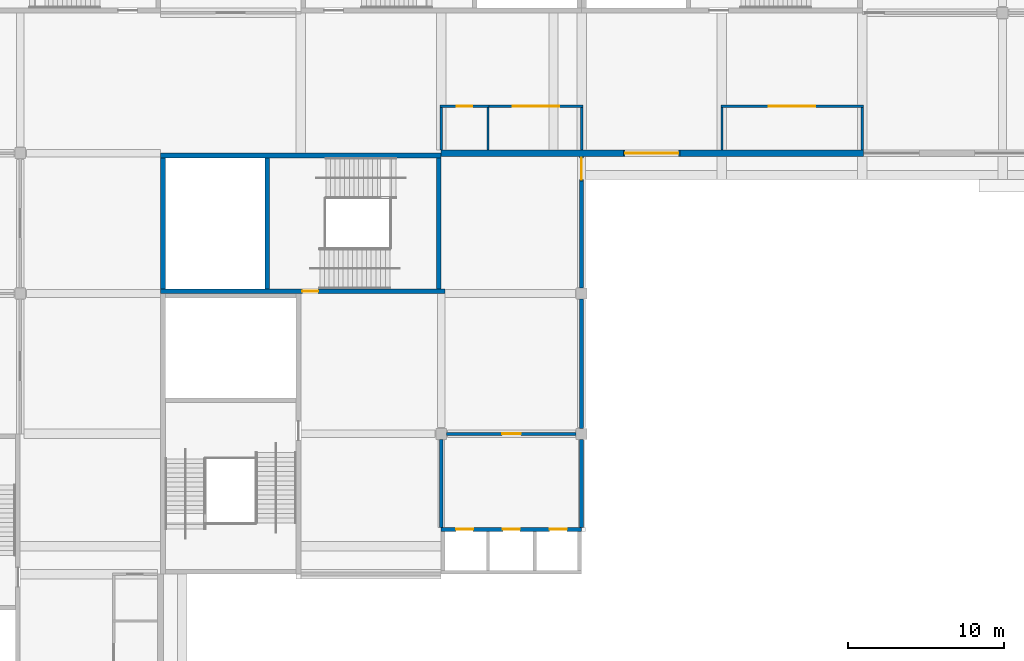
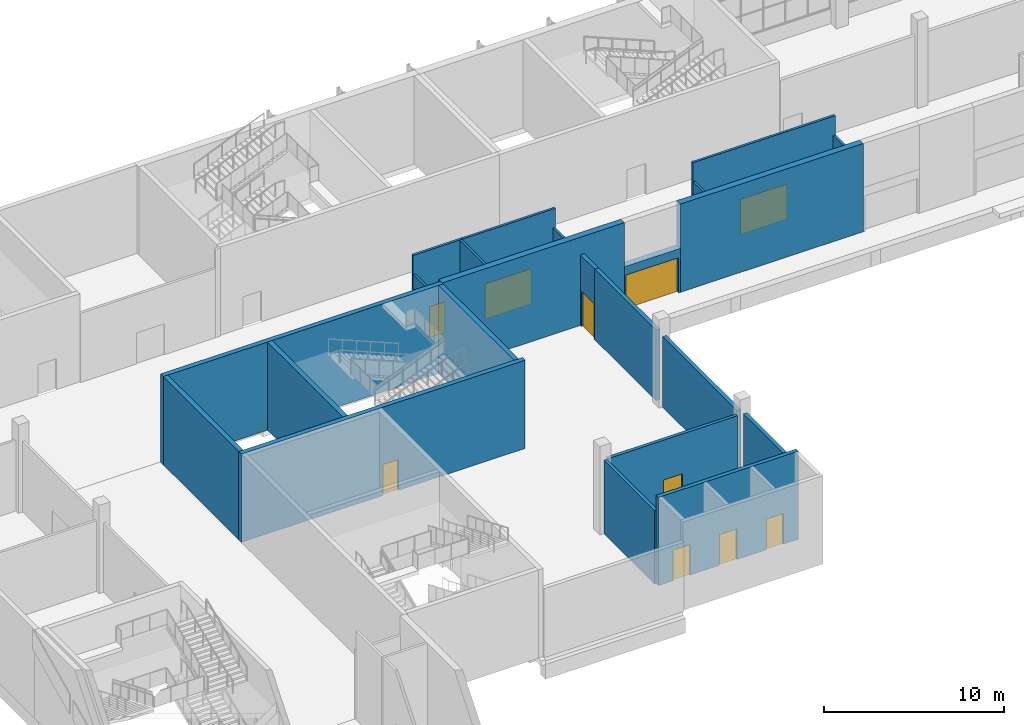
# One storey, part 43 of 89: 23 walls, 10 doors, 10 openings.
"""IFC4 building model written with IfcOpenShell, lengths in metres."""

from ifc_helpers import new_model, si_unit, direction, frame, frame_2d, origin, place, context, subcontext, project, spatial, rectangle, extrude, material, layer, layer_set, type_object, element, fill, save


model = new_model("IFC4")

# Units and contexts
model_context = context("Model", 3, precision=1e-05, world=origin(), true_north=direction((0.0, 1.0)))
body_context = subcontext(model_context, "Body", "Model", "MODEL_VIEW")
ifc_project = project(units=[si_unit("LENGTHUNIT", "METRE"), si_unit("AREAUNIT", "SQUARE_METRE"), si_unit("VOLUMEUNIT", "CUBIC_METRE"), si_unit("PLANEANGLEUNIT", "RADIAN"), si_unit("MASSUNIT", "GRAM", prefix="KILO")], contexts=[model_context])

# Site, building, storey
site_placement = place(None, origin())
site = spatial("IfcSite", under=ifc_project, at=site_placement, CompositionType="ELEMENT")
building_placement = place(site_placement, origin())
building = spatial("IfcBuilding", under=site, at=building_placement, Name="Silverbay Arena", CompositionType="ELEMENT")
storey_placement = place(building_placement, frame((0.0, 0.0, 22.0)))
storey = spatial("IfcBuildingStorey", under=building, at=storey_placement, Name="L03", CompositionType="ELEMENT", Elevation=22.0)

# Wall, opening, door
ifc_material_1 = material(Name="Concrete Grade C45", Category="concrete")
ifc_layer_1 = layer(ifc_material_1, 0.25)
ifc_layer_set_1 = layer_set([ifc_layer_1], Name="Concrete Grade C45")
wall_type_1 = type_object("IfcWallType", Name="Bowl enclosure wall RC 250 EI 120", PredefinedType="SOLIDWALL", material=ifc_layer_set_1)
wall_1_placement = place(storey_placement, frame((99.0, 124.199951171875, 0.0), z_axis=(0.0, 0.0, 1.0), x_axis=(0.0, 1.0, 0.0)))
wall_1 = element("IfcWall", 1, at=wall_1_placement, inside=storey, type_object=wall_type_1, Name="gangway North upper stand end", PredefinedType="SOLIDWALL", context=body_context, shape_type="SweptSolid", body=[
    extrude(rectangle(XDim=1.60009765625, YDim=0.25, at=frame_2d((0.800048828125, 0.0))), origin(), (0.0, 0.0, 1.0), 4.800048828125),
])
opening_1_placement = place(wall_1_placement, frame((0.10009765625, 0.0, 0.0)))
opening_1 = element("IfcOpeningElement", 2, at=opening_1_placement, cuts=wall_1, Name="Opening L03-091", PredefinedType="OPENING", context=body_context, shape_type="SweptSolid", body=[
    extrude(rectangle(XDim=1.39990234375, YDim=2.39990234375, at=frame_2d((0.699951171875, 1.199951171875))), frame((0.0, 0.135009765625, 0.0), z_axis=(0.0, -1.0, 0.0), x_axis=(1.0, 0.0, 0.0)), (0.0, 0.0, 1.0), 0.27001953125),
])
ifc_material_2 = material(Name="Steel", Category="steel")
door_type_1 = type_object("IfcDoorType", Name="Fire door set 1400 x 2400 FD120S gangway", OperationType="DOUBLE_DOOR_SINGLE_SWING", PredefinedType="DOOR", material=ifc_material_2)
door_1_placement = place(opening_1_placement, origin())
door_1 = element("IfcDoor", 3, at=door_1_placement, inside=storey, type_object=door_type_1, Name="Fire door set L03 gangway North upper stand end", OperationType="DOUBLE_DOOR_SINGLE_SWING", OverallHeight=2.39990234375, OverallWidth=1.39990234375, PredefinedType="DOOR", context=body_context, shape_type="SweptSolid", body=[
    extrude(rectangle(XDim=1.39990234375, YDim=2.39990234375, at=frame_2d((0.699951171875, 1.199951171875))), frame((0.0, 0.02490234375, 0.0), z_axis=(0.0, -1.0, 0.0), x_axis=(1.0, 0.0, 0.0)), (0.0, 0.0, 1.0), 0.050048828125),
])
fill(opening_1, door_1)

# Walls
wall_2_placement = place(storey_placement, frame((99.0, 102.0, 0.0), z_axis=(0.0, 0.0, 1.0), x_axis=(0.0, 1.0, 0.0)))
element("IfcWall", 4, at=wall_2_placement, inside=storey, type_object=wall_type_1, Name="Bowl enclosure wall, corner block NW-x", PredefinedType="SOLIDWALL", context=body_context, shape_type="SweptSolid", body=[
    extrude(rectangle(XDim=5.64990234375, YDim=0.25, at=frame_2d((2.824951171875, 0.0))), origin(), (0.0, 0.0, 1.0), 5.0),
])
wall_3_placement = place(storey_placement, frame((99.0, 108.35009765625, 0.0), z_axis=(0.0, 0.0, 1.0), x_axis=(0.0, 1.0, 0.0)))
element("IfcWall", 5, at=wall_3_placement, inside=storey, type_object=wall_type_1, Name="Bowl enclosure wall, corner block NW-x", PredefinedType="SOLIDWALL", context=body_context, shape_type="SweptSolid", body=[
    extrude(rectangle(XDim=8.2998046875, YDim=0.25, at=frame_2d((4.14990234375, 0.0))), origin(), (0.0, 0.0, 1.0), 4.800048828125),
])
wall_4_placement = place(storey_placement, frame((99.0, 117.35009765625, 0.0), z_axis=(0.0, 0.0, 1.0), x_axis=(0.0, 1.0, 0.0)))
element("IfcWall", 6, at=wall_4_placement, inside=storey, type_object=wall_type_1, Name="Bowl enclosure wall, corner block NW-x", PredefinedType="SOLIDWALL", context=body_context, shape_type="SweptSolid", body=[
    extrude(rectangle(XDim=6.849853515625, YDim=0.25, at=frame_2d((3.4248046875, 0.0))), origin(), (0.0, 0.0, 1.0), 4.800048828125),
])

# Wall, opening, door
ifc_material_3 = material(Name="Concrete Grade C45", Category="concrete")
ifc_layer_2 = layer(ifc_material_3, 0.39990234375)
ifc_layer_set_2 = layer_set([ifc_layer_2], Name="Concrete Grade C45")
wall_type_2 = type_object("IfcWallType", Name="Bowl enclosure wall RC 400 EI 120", PredefinedType="SOLIDWALL", material=ifc_layer_set_2)
wall_5_placement = place(storey_placement, frame((101.699951171875, 126.0, 0.0), z_axis=(0.0, 0.0, 1.0), x_axis=(1.0, 0.0, 0.0)))
wall_5 = element("IfcWall", 7, at=wall_5_placement, inside=storey, type_object=wall_type_2, Name="portal stand N 103.5", PredefinedType="SOLIDWALL", context=body_context, shape_type="SweptSolid", body=[
    extrude(rectangle(XDim=3.60009765625, YDim=0.39990234375, at=frame_2d((1.800048828125, 0.0))), origin(), (0.0, 0.0, 1.0), 3.0),
])
opening_2_placement = place(wall_5_placement, frame((0.10009765625, 0.0, 0.0)))
opening_2 = element("IfcOpeningElement", 8, at=opening_2_placement, cuts=wall_5, Name="Opening L03-101", PredefinedType="OPENING", context=body_context, shape_type="SweptSolid", body=[
    extrude(rectangle(XDim=3.39990234375, YDim=2.39990234375, at=frame_2d((1.699951171875, 1.199951171875))), frame((0.0, 0.2099609375, 0.0), z_axis=(0.0, -1.0, 0.0), x_axis=(1.0, 0.0, 0.0)), (0.0, 0.0, 1.0), 0.419921875),
])
ifc_material_4 = material(Name="Steel", Category="steel")
door_type_2 = type_object("IfcDoorType", Name="Fire door set 3400 x 2400 FD120S portal", OperationType="DOUBLE_DOOR_SINGLE_SWING", PredefinedType="DOOR", material=ifc_material_4)
door_2_placement = place(opening_2_placement, origin())
door_2 = element("IfcDoor", 9, at=door_2_placement, inside=storey, type_object=door_type_2, Name="Fire door set L03 portal stand N 103.5", OperationType="DOUBLE_DOOR_SINGLE_SWING", OverallHeight=2.39990234375, OverallWidth=3.39990234375, PredefinedType="DOOR", context=body_context, shape_type="SweptSolid", body=[
    extrude(rectangle(XDim=3.39990234375, YDim=2.39990234375, at=frame_2d((1.699951171875, 1.199951171875))), frame((0.0, 0.02490234375, 0.0), z_axis=(0.0, -1.0, 0.0), x_axis=(1.0, 0.0, 0.0)), (0.0, 0.0, 1.0), 0.050048828125),
])
fill(opening_2, door_2)

ifc_material_5 = material(Name="Concrete Grade C45", Category="concrete")
ifc_layer_3 = layer(ifc_material_5, 0.300048828125)
ifc_layer_set_3 = layer_set([ifc_layer_3], Name="Concrete Grade C45")
wall_type_3 = type_object("IfcWallType", Name="Core wall RC 300 EI 120", PredefinedType="SHEAR", material=ifc_layer_set_3)
wall_6_placement = place(storey_placement, frame((90.25, 117.14990234375, 0.0), z_axis=(0.0, 0.0, 1.0), x_axis=(-1.0, 0.0, 0.0)))
wall_6 = element("IfcWall", 10, at=wall_6_placement, inside=storey, type_object=wall_type_3, Name="Core wall ST-NW1 L03 door side", PredefinedType="SHEAR", context=body_context, shape_type="SweptSolid", body=[
    extrude(rectangle(XDim=18.25, YDim=0.300048828125, at=frame_2d((9.125, 0.0))), origin(), (0.0, 0.0, 1.0), 6.0),
])
opening_3_placement = place(wall_6_placement, frame((8.14990234375, 0.0, 0.0)))
opening_3 = element("IfcOpeningElement", 11, at=opening_3_placement, cuts=wall_6, Name="Opening L03-073", PredefinedType="OPENING", context=body_context, shape_type="SweptSolid", body=[
    extrude(rectangle(XDim=1.0, YDim=2.10009765625, at=frame_2d((0.5, 1.050048828125))), frame((0.0, 0.16015625, 0.0), z_axis=(0.0, -1.0, 0.0), x_axis=(1.0, 0.0, 0.0)), (0.0, 0.0, 1.0), 0.320068359375),
])
ifc_material_6 = material(Name="Steel fire door", Category="steel")
door_type_3 = type_object("IfcDoorType", Name="Stair door 1000 x 2100 fire door", OperationType="SINGLE_SWING_LEFT", PredefinedType="DOOR", material=ifc_material_6)
door_3_placement = place(opening_3_placement, frame((1.0, 0.0, 0.0), z_axis=(0.0, 0.0, 1.0), x_axis=(-1.0, 0.0, 0.0)))
door_3 = element("IfcDoor", 12, at=door_3_placement, inside=storey, type_object=door_type_3, Name="Stair door ST-NW1 L03", OperationType="SINGLE_SWING_RIGHT", OverallHeight=2.10009765625, OverallWidth=1.0, PredefinedType="DOOR", context=body_context, shape_type="SweptSolid", body=[
    extrude(rectangle(XDim=1.0, YDim=2.10009765625, at=frame_2d((0.5, 1.050048828125))), frame((0.0, 0.02490234375, 0.0), z_axis=(0.0, -1.0, 0.0), x_axis=(1.0, 0.0, 0.0)), (0.0, 0.0, 1.0), 0.050048828125),
])
fill(opening_3, door_3)

# Walls
wall_7_placement = place(storey_placement, frame((90.0, 125.85009765625, 0.0), z_axis=(0.0, 0.0, 1.0), x_axis=(-1.0, 0.0, 0.0)))
element("IfcWall", 13, at=wall_7_placement, inside=storey, type_object=wall_type_3, Name="Core wall ST-NW1 L03 far side", PredefinedType="SHEAR", context=body_context, shape_type="SweptSolid", body=[
    extrude(rectangle(XDim=18.0, YDim=0.300048828125, at=frame_2d((9.0, 0.0))), origin(), (0.0, 0.0, 1.0), 6.0),
])
for number, where, z_axis, x_axis, name in (
    (14, (89.85009765625, 117.300048828125, 0.0), (0.0, 0.0, 1.0), (0.0, 1.0, 0.0), "Core wall ST-NW1 L03 end 1"),
    (15, (72.14990234375, 117.300048828125, 0.0), (0.0, 0.0, 1.0), (0.0, 1.0, 0.0), "Core wall ST-NW1 L03 end 2"),
    (16, (78.85009765625, 117.300048828125, 0.0), (0.0, 0.0, 1.0), (0.0, 1.0, 0.0), "Core wall ST-NW1 L03 stair enclosure"),
):
    element("IfcWall", number, at=place(storey_placement, frame(where, z_axis=z_axis, x_axis=x_axis)), inside=storey, type_object=wall_type_3, Name=name, PredefinedType="SHEAR", context=body_context, shape_type="SweptSolid", body=[
        extrude(rectangle(XDim=8.39990234375, YDim=0.300048828125, at=frame_2d((4.199951171875, 0.0))), origin(), (0.0, 0.0, 1.0), 6.0),
    ])

# Wall, openings, doors
ifc_material_7 = material(Name="Concrete Grade C45", Category="concrete")
ifc_layer_4 = layer(ifc_material_7, 0.25)
ifc_layer_set_4 = layer_set([ifc_layer_4], Name="Concrete Grade C45")
wall_type_4 = type_object("IfcWallType", Name="Lift shaft wall RC 250 EI 120", PredefinedType="SHEAR", material=ifc_layer_set_4)
wall_8_placement = place(storey_placement, frame((90.0, 101.875, 0.0), z_axis=(0.0, 0.0, 1.0), x_axis=(1.0, 0.0, 0.0)))
wall_8 = element("IfcWall", 17, at=wall_8_placement, inside=storey, type_object=wall_type_4, Name="Lift shaft wall LB-NW L03 landing side", PredefinedType="SHEAR", context=body_context, shape_type="SweptSolid", body=[
    extrude(rectangle(XDim=9.0, YDim=0.25, at=frame_2d((4.5, 0.0))), origin(), (0.0, 0.0, 1.0), 6.0),
])
opening_4_placement = place(wall_8_placement, frame((0.949951171875, 0.0, 0.0)))
opening_4 = element("IfcOpeningElement", 18, at=opening_4_placement, cuts=wall_8, Name="Opening L03-083", PredefinedType="OPENING", context=body_context, shape_type="SweptSolid", body=[
    extrude(rectangle(XDim=1.10009765625, YDim=2.10009765625, at=frame_2d((0.550048828125, 1.050048828125))), frame((0.0, 0.135009765625, 0.0), z_axis=(0.0, -1.0, 0.0), x_axis=(1.0, 0.0, 0.0)), (0.0, 0.0, 1.0), 0.27001953125),
])
opening_5_placement = place(wall_8_placement, frame((3.949951171875, 0.0, 0.0)))
opening_5 = element("IfcOpeningElement", 19, at=opening_5_placement, cuts=wall_8, Name="Opening L03-084", PredefinedType="OPENING", context=body_context, shape_type="SweptSolid", body=[
    extrude(rectangle(XDim=1.10009765625, YDim=2.10009765625, at=frame_2d((0.550048828125, 1.050048828125))), frame((0.0, 0.135009765625, 0.0), z_axis=(0.0, -1.0, 0.0), x_axis=(1.0, 0.0, 0.0)), (0.0, 0.0, 1.0), 0.27001953125),
])
opening_6_placement = place(wall_8_placement, frame((6.949951171875, 0.0, 0.0)))
opening_6 = element("IfcOpeningElement", 20, at=opening_6_placement, cuts=wall_8, Name="Opening L03-085", PredefinedType="OPENING", context=body_context, shape_type="SweptSolid", body=[
    extrude(rectangle(XDim=1.10009765625, YDim=2.10009765625, at=frame_2d((0.550048828125, 1.050048828125))), frame((0.0, 0.135009765625, 0.0), z_axis=(0.0, -1.0, 0.0), x_axis=(1.0, 0.0, 0.0)), (0.0, 0.0, 1.0), 0.27001953125),
])
ifc_material_8 = material(Name="Stainless steel", Category="steel")
door_type_4 = type_object("IfcDoorType", Name="LD1 lift landing door 1100 x 2100", OperationType="DOUBLE_DOOR_SLIDING", PredefinedType="DOOR", material=ifc_material_8)
door_4_placement = place(opening_4_placement, origin())
door_4 = element("IfcDoor", 21, at=door_4_placement, inside=storey, type_object=door_type_4, Name="Lift landing door LF9 L03", OperationType="DOUBLE_DOOR_SLIDING", OverallHeight=2.10009765625, OverallWidth=1.10009765625, PredefinedType="DOOR", context=body_context, shape_type="SweptSolid", body=[
    extrude(rectangle(XDim=1.10009765625, YDim=2.10009765625, at=frame_2d((0.550048828125, 1.050048828125))), frame((0.0, 0.02490234375, 0.0), z_axis=(0.0, -1.0, 0.0), x_axis=(1.0, 0.0, 0.0)), (0.0, 0.0, 1.0), 0.050048828125),
])
fill(opening_4, door_4)
door_5_placement = place(opening_5_placement, origin())
door_5 = element("IfcDoor", 22, at=door_5_placement, inside=storey, type_object=door_type_4, Name="Lift landing door LF10 L03", OperationType="DOUBLE_DOOR_SLIDING", OverallHeight=2.10009765625, OverallWidth=1.10009765625, PredefinedType="DOOR", context=body_context, shape_type="SweptSolid", body=[
    extrude(rectangle(XDim=1.10009765625, YDim=2.10009765625, at=frame_2d((0.550048828125, 1.050048828125))), frame((0.0, 0.02490234375, 0.0), z_axis=(0.0, -1.0, 0.0), x_axis=(1.0, 0.0, 0.0)), (0.0, 0.0, 1.0), 0.050048828125),
])
fill(opening_5, door_5)
door_6_placement = place(opening_6_placement, origin())
door_6 = element("IfcDoor", 23, at=door_6_placement, inside=storey, type_object=door_type_4, Name="Lift landing door LF11 L03", OperationType="DOUBLE_DOOR_SLIDING", OverallHeight=2.10009765625, OverallWidth=1.10009765625, PredefinedType="DOOR", context=body_context, shape_type="SweptSolid", body=[
    extrude(rectangle(XDim=1.10009765625, YDim=2.10009765625, at=frame_2d((0.550048828125, 1.050048828125))), frame((0.0, 0.02490234375, 0.0), z_axis=(0.0, -1.0, 0.0), x_axis=(1.0, 0.0, 0.0)), (0.0, 0.0, 1.0), 0.050048828125),
])
fill(opening_6, door_6)

# Wall, opening, door
ifc_material_9 = material(Name="Gypsum board partition on steel studs", Category="steel")
ifc_layer_5 = layer(ifc_material_9, 0.14990234375)
ifc_layer_set_5 = layer_set([ifc_layer_5], Name="Gypsum board partition on steel studs")
wall_type_5 = type_object("IfcWallType", Name="Partition 150 EI 60", PredefinedType="PARTITIONING", material=ifc_layer_set_5)
wall_9_placement = place(storey_placement, frame((89.925048828125, 129.0, 0.0), z_axis=(0.0, 0.0, 1.0), x_axis=(1.0, 0.0, 0.0)))
wall_9 = element("IfcWall", 24, at=wall_9_placement, inside=storey, type_object=wall_type_5, Name="Partition wall", PredefinedType="PARTITIONING", context=body_context, shape_type="SweptSolid", body=[
    extrude(rectangle(XDim=3.14990234375, YDim=0.14990234375, at=frame_2d((1.574951171875, 0.0))), origin(), (0.0, 0.0, 1.0), 6.0),
])
opening_7_placement = place(wall_9_placement, frame((1.074951171875, 0.0, 0.0)))
opening_7 = element("IfcOpeningElement", 25, at=opening_7_placement, cuts=wall_9, Name="Opening L03-032", PredefinedType="OPENING", context=body_context, shape_type="SweptSolid", body=[
    extrude(rectangle(XDim=1.0, YDim=2.10009765625, at=frame_2d((0.5, 1.050048828125))), frame((0.0, 0.0849609375, 0.0), z_axis=(0.0, -1.0, 0.0), x_axis=(1.0, 0.0, 0.0)), (0.0, 0.0, 1.0), 0.169921875),
])
ifc_material_10 = material(Name="Steel faced timber", Category="steel")
door_type_5 = type_object("IfcDoorType", Name="Single leaf door 1000 x 2100 FD30S", OperationType="SINGLE_SWING_LEFT", PredefinedType="DOOR", material=ifc_material_10)
door_7_placement = place(opening_7_placement, frame((1.0, 0.0, 0.0), z_axis=(0.0, 0.0, 1.0), x_axis=(-1.0, 0.0, 0.0)))
door_7 = element("IfcDoor", 26, at=door_7_placement, inside=storey, type_object=door_type_5, Name="Door L03-032", OperationType="SINGLE_SWING_LEFT", OverallHeight=2.10009765625, OverallWidth=1.0, PredefinedType="DOOR", context=body_context, shape_type="SweptSolid", body=[
    extrude(rectangle(XDim=1.0, YDim=2.10009765625, at=frame_2d((0.5, 1.050048828125))), frame((0.0, 0.02490234375, 0.0), z_axis=(0.0, -1.0, 0.0), x_axis=(1.0, 0.0, 0.0)), (0.0, 0.0, 1.0), 0.050048828125),
])
fill(opening_7, door_7)

wall_10_placement = place(storey_placement, frame((93.074951171875, 129.0, 0.0), z_axis=(0.0, 0.0, 1.0), x_axis=(1.0, 0.0, 0.0)))
wall_10 = element("IfcWall", 27, at=wall_10_placement, inside=storey, type_object=wall_type_5, Name="Partition wall", PredefinedType="PARTITIONING", context=body_context, shape_type="SweptSolid", body=[
    extrude(rectangle(XDim=6.0, YDim=0.14990234375, at=frame_2d((3.0, 0.0))), origin(), (0.0, 0.0, 1.0), 6.0),
])
opening_8_placement = place(wall_10_placement, frame((1.5, 0.0, 0.0)))
opening_8 = element("IfcOpeningElement", 28, at=opening_8_placement, cuts=wall_10, Name="Opening L03-033", PredefinedType="OPENING", context=body_context, shape_type="SweptSolid", body=[
    extrude(rectangle(XDim=3.0, YDim=2.39990234375, at=frame_2d((1.5, 1.199951171875))), frame((0.0, 0.0849609375, 0.0), z_axis=(0.0, -1.0, 0.0), x_axis=(1.0, 0.0, 0.0)), (0.0, 0.0, 1.0), 0.169921875),
])
ifc_material_11 = material(Name="Steel", Category="steel")
door_type_6 = type_object("IfcDoorType", Name="Roller shutter 3000 x 2400 FD30S", OperationType="ROLLINGUP", PredefinedType="DOOR", material=ifc_material_11)
door_8_placement = place(opening_8_placement, origin())
door_8 = element("IfcDoor", 29, at=door_8_placement, inside=storey, type_object=door_type_6, Name="Door L03-033", OperationType="ROLLINGUP", OverallHeight=2.39990234375, OverallWidth=3.0, PredefinedType="DOOR", context=body_context, shape_type="SweptSolid", body=[
    extrude(rectangle(XDim=3.0, YDim=2.39990234375, at=frame_2d((1.5, 1.199951171875))), frame((0.0, 0.02490234375, 0.0), z_axis=(0.0, -1.0, 0.0), x_axis=(1.0, 0.0, 0.0)), (0.0, 0.0, 1.0), 0.050048828125),
])
fill(opening_8, door_8)

wall_11_placement = place(storey_placement, frame((107.925048828125, 129.0, 0.0), z_axis=(0.0, 0.0, 1.0), x_axis=(1.0, 0.0, 0.0)))
wall_11 = element("IfcWall", 30, at=wall_11_placement, inside=storey, type_object=wall_type_5, Name="Partition wall", PredefinedType="PARTITIONING", context=body_context, shape_type="SweptSolid", body=[
    extrude(rectangle(XDim=9.14990234375, YDim=0.14990234375, at=frame_2d((4.574951171875, 0.0))), origin(), (0.0, 0.0, 1.0), 6.0),
])
opening_9_placement = place(wall_11_placement, frame((3.074951171875, 0.0, 0.0)))
opening_9 = element("IfcOpeningElement", 31, at=opening_9_placement, cuts=wall_11, Name="Opening L03-034", PredefinedType="OPENING", context=body_context, shape_type="SweptSolid", body=[
    extrude(rectangle(XDim=3.0, YDim=2.39990234375, at=frame_2d((1.5, 1.199951171875))), frame((0.0, 0.0849609375, 0.0), z_axis=(0.0, -1.0, 0.0), x_axis=(1.0, 0.0, 0.0)), (0.0, 0.0, 1.0), 0.169921875),
])
door_9_placement = place(opening_9_placement, origin())
door_9 = element("IfcDoor", 32, at=door_9_placement, inside=storey, type_object=door_type_6, Name="Door L03-034", OperationType="ROLLINGUP", OverallHeight=2.39990234375, OverallWidth=3.0, PredefinedType="DOOR", context=body_context, shape_type="SweptSolid", body=[
    extrude(rectangle(XDim=3.0, YDim=2.39990234375, at=frame_2d((1.5, 1.199951171875))), frame((0.0, 0.02490234375, 0.0), z_axis=(0.0, -1.0, 0.0), x_axis=(1.0, 0.0, 0.0)), (0.0, 0.0, 1.0), 0.050048828125),
])
fill(opening_9, door_9)

# Walls
wall_12_placement = place(storey_placement, frame((90.0, 126.199951171875, 0.0), z_axis=(0.0, 0.0, 1.0), x_axis=(0.0, 1.0, 0.0)))
element("IfcWall", 33, at=wall_12_placement, inside=storey, type_object=wall_type_5, Name="Partition wall", PredefinedType="PARTITIONING", context=body_context, shape_type="SweptSolid", body=[
    extrude(rectangle(XDim=2.72509765625, YDim=0.14990234375, at=frame_2d((1.362548828125, 0.0))), origin(), (0.0, 0.0, 1.0), 4.699951171875),
])
wall_13_placement = place(storey_placement, frame((93.0, 126.199951171875, 0.0), z_axis=(0.0, 0.0, 1.0), x_axis=(0.0, 1.0, 0.0)))
element("IfcWall", 34, at=wall_13_placement, inside=storey, type_object=wall_type_5, Name="Partition wall", PredefinedType="PARTITIONING", context=body_context, shape_type="SweptSolid", body=[
    extrude(rectangle(XDim=2.72509765625, YDim=0.14990234375, at=frame_2d((1.362548828125, 0.0))), origin(), (0.0, 0.0, 1.0), 6.0),
])
for number, where, z_axis, x_axis, name in (
    (35, (99.0, 126.199951171875, 0.0), (0.0, 0.0, 1.0), (0.0, 1.0, 0.0), "Partition wall"),
    (36, (108.0, 126.199951171875, 0.0), (0.0, 0.0, 1.0), (0.0, 1.0, 0.0), "Partition wall"),
    (37, (117.0, 126.199951171875, 0.0), (0.0, 0.0, 1.0), (0.0, 1.0, 0.0), "Partition wall"),
):
    element("IfcWall", number, at=place(storey_placement, frame(where, z_axis=z_axis, x_axis=x_axis)), inside=storey, type_object=wall_type_5, Name=name, PredefinedType="PARTITIONING", context=body_context, shape_type="SweptSolid", body=[
        extrude(rectangle(XDim=2.72509765625, YDim=0.14990234375, at=frame_2d((1.362548828125, 0.0))), origin(), (0.0, 0.0, 1.0), 4.699951171875),
    ])

# Wall, opening, door
ifc_material_12 = material(Name="Masonry blockwork partition", Category="masonry")
ifc_layer_6 = layer(ifc_material_12, 0.199951171875)
ifc_layer_set_6 = layer_set([ifc_layer_6], Name="Masonry blockwork partition")
wall_type_6 = type_object("IfcWallType", Name="Partition 200 EI 120", PredefinedType="PARTITIONING", material=ifc_layer_set_6)
wall_14_placement = place(storey_placement, frame((90.35009765625, 108.0, 0.0), z_axis=(0.0, 0.0, 1.0), x_axis=(1.0, 0.0, 0.0)))
wall_14 = element("IfcWall", 38, at=wall_14_placement, inside=storey, type_object=wall_type_6, Name="Partition wall", PredefinedType="PARTITIONING", context=body_context, shape_type="SweptSolid", body=[
    extrude(rectangle(XDim=8.2998046875, YDim=0.199951171875, at=frame_2d((4.14990234375, 0.0))), origin(), (0.0, 0.0, 1.0), 4.800048828125),
])
opening_10_placement = place(wall_14_placement, frame((3.550048828125, 0.0, 0.0)))
opening_10 = element("IfcOpeningElement", 39, at=opening_10_placement, cuts=wall_14, Name="Opening L03-023", PredefinedType="OPENING", context=body_context, shape_type="SweptSolid", body=[
    extrude(rectangle(XDim=1.199951171875, YDim=2.10009765625, at=frame_2d((0.60009765625, 1.050048828125))), frame((0.0, 0.10986328125, 0.0), z_axis=(0.0, -1.0, 0.0), x_axis=(1.0, 0.0, 0.0)), (0.0, 0.0, 1.0), 0.219970703125),
])
ifc_material_13 = material(Name="Steel faced timber", Category="steel")
door_type_7 = type_object("IfcDoorType", Name="Single leaf door 1200 x 2100 FD60", OperationType="SINGLE_SWING_LEFT", PredefinedType="DOOR", material=ifc_material_13)
door_10_placement = place(opening_10_placement, origin())
door_10 = element("IfcDoor", 40, at=door_10_placement, inside=storey, type_object=door_type_7, Name="Door L03-023", OperationType="SINGLE_SWING_LEFT", OverallHeight=2.10009765625, OverallWidth=1.199951171875, PredefinedType="DOOR", context=body_context, shape_type="SweptSolid", body=[
    extrude(rectangle(XDim=1.199951171875, YDim=2.10009765625, at=frame_2d((0.60009765625, 1.050048828125))), frame((0.0, 0.02490234375, 0.0), z_axis=(0.0, -1.0, 0.0), x_axis=(1.0, 0.0, 0.0)), (0.0, 0.0, 1.0), 0.050048828125),
])
fill(opening_10, door_10)

# Walls
wall_15_placement = place(storey_placement, frame((90.0, 102.0, 0.0), z_axis=(0.0, 0.0, 1.0), x_axis=(0.0, 1.0, 0.0)))
element("IfcWall", 41, at=wall_15_placement, inside=storey, type_object=wall_type_6, Name="Partition wall", PredefinedType="PARTITIONING", context=body_context, shape_type="SweptSolid", body=[
    extrude(rectangle(XDim=5.64990234375, YDim=0.199951171875, at=frame_2d((2.824951171875, 0.0))), origin(), (0.0, 0.0, 1.0), 5.0),
])
ifc_material_14 = material(Name="Concrete Grade C45", Category="concrete")
ifc_layer_7 = layer(ifc_material_14, 0.39990234375)
ifc_layer_set_7 = layer_set([ifc_layer_7], Name="Concrete Grade C45")
wall_type_7 = type_object("IfcWallType", Name="RC back wall 400 EI 120", PredefinedType="SOLIDWALL", material=ifc_layer_set_7)
wall_16_placement = place(storey_placement, frame((117.074951171875, 126.0, 0.0), z_axis=(0.0, 0.0, 1.0), x_axis=(-1.0, 0.0, 0.0)))
element("IfcWall", 42, at=wall_16_placement, inside=storey, type_object=wall_type_7, Name="Bowl back wall L03 13", PredefinedType="SOLIDWALL", context=body_context, shape_type="SweptSolid", body=[
    extrude(rectangle(XDim=11.77490234375, YDim=0.39990234375, at=frame_2d((5.887451171875, 0.0))), origin(), (0.0, 0.0, 1.0), 6.0),
])
wall_17_placement = place(storey_placement, frame((101.699951171875, 126.0, 0.0), z_axis=(0.0, 0.0, 1.0), x_axis=(-1.0, 0.0, 0.0)))
element("IfcWall", 43, at=wall_17_placement, inside=storey, type_object=wall_type_7, Name="Bowl back wall L03 14", PredefinedType="SOLIDWALL", context=body_context, shape_type="SweptSolid", body=[
    extrude(rectangle(XDim=11.699951171875, YDim=0.39990234375, at=frame_2d((5.85009765625, 0.0))), origin(), (0.0, 0.0, 1.0), 6.0),
])

save(model, "model.ifc")
